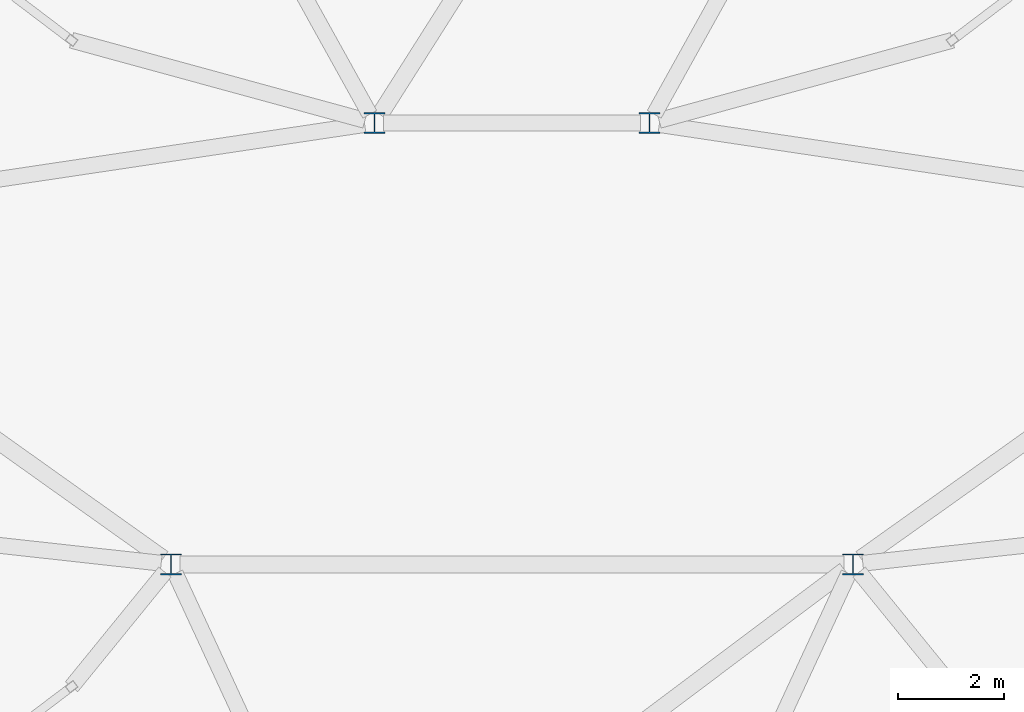
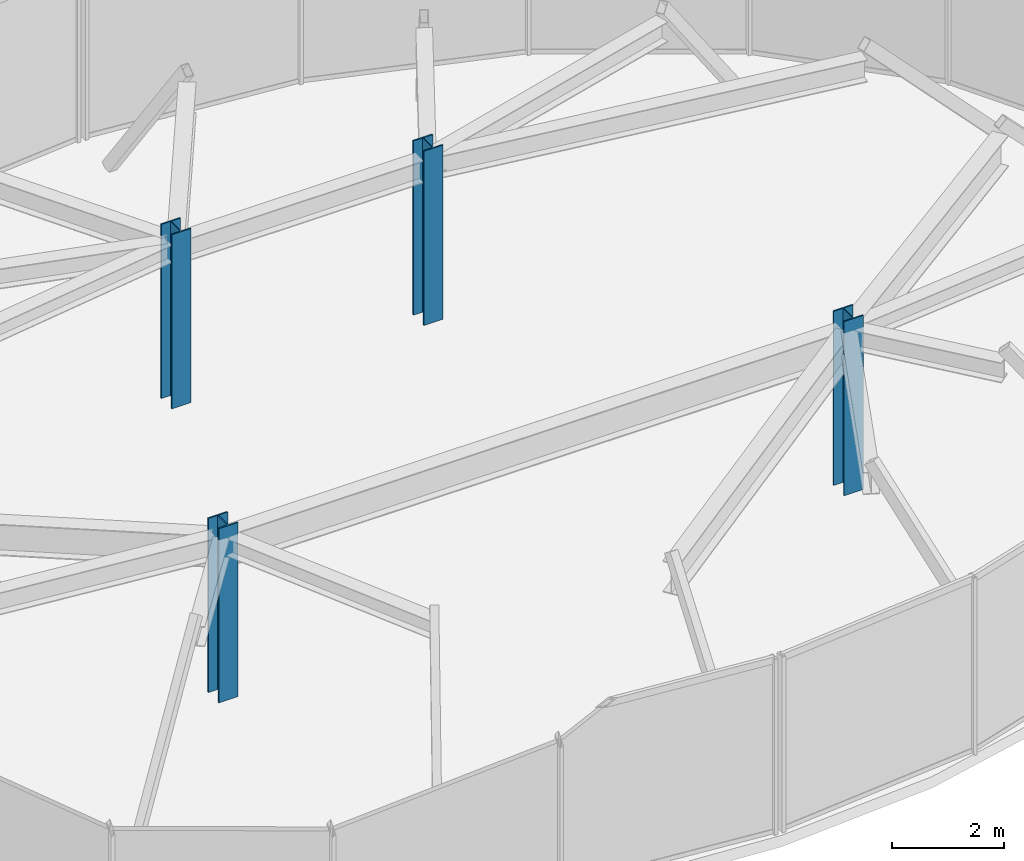
# One storey, part 1 of 13: 4 columns.
"""IFC4 building model written with IfcOpenShell, lengths in metres."""

import ifcopenshell
import ifcopenshell.guid

model = None  # the IFC model being written
_history = None  # IfcOwnerHistory: only IFC2X3 demands one
_inside = {}  # id of a spatial element -> (the spatial element, [elements in it])
_under = {}  # id of a project, library or spatial element -> (it, [spatial elements below it])
_declared = {}  # id of a project -> (the project, [libraries it declares])
_typed = {}  # id of a type object -> (the type object, [elements of that type])
_made_of = {}  # id of a material, layer set ... -> (it, [elements and type objects made of it])


def new_model(schema):
    """Start an empty IFC model of exactly this schema.

    Asked for "IFC4X3", IfcOpenShell would pick the latest addendum, in which some entities
    have other attributes; the version numbers below select the first issue.
    IFC2X3 requires an IfcOwnerHistory on every rooted entity: one is made here for all.
    """
    global model, _history
    if schema == "IFC4X3":
        model = ifcopenshell.file(schema_version=(4, 3, 0, 0))
    else:
        model = ifcopenshell.file(schema=schema)
    _inside.clear()
    _under.clear()
    _declared.clear()
    _typed.clear()
    _made_of.clear()
    _history = None
    if model.schema == "IFC2X3":
        org = make("IfcOrganization", Name="unknown")
        user = make(
            "IfcPersonAndOrganization",
            ThePerson=make("IfcPerson", FamilyName="unknown"),
            TheOrganization=org,
        )
        app = make(
            "IfcApplication",
            ApplicationDeveloper=org,
            Version="unknown",
            ApplicationFullName="unknown",
            ApplicationIdentifier="unknown",
        )
        _history = make(
            "IfcOwnerHistory",
            OwningUser=user,
            OwningApplication=app,
            ChangeAction="ADDED",
            CreationDate=0,
        )
    return model


def make(cls, **values):
    """One entity of the class cls with the attributes given. An attribute that is None is left unset."""
    return model.create_entity(
        cls, **{name: value for name, value in values.items() if value is not None}
    )


def rooted(cls, **values):
    """An entity with a GlobalId (a new one), such as an element, a storey or a relation."""
    return make(cls, GlobalId=ifcopenshell.guid.new(), OwnerHistory=_history, **values)


def si_unit(unit_type, name, prefix=None):
    """IfcSIUnit, for example si_unit("LENGTHUNIT", "METRE", prefix="MILLI")."""
    return make("IfcSIUnit", UnitType=unit_type, Prefix=prefix, Name=name)


def assignment(units):
    """IfcUnitAssignment: the units of a project."""
    return None if units is None else make("IfcUnitAssignment", Units=units)


def point(xyz):
    """IfcCartesianPoint."""
    return None if xyz is None else make("IfcCartesianPoint", Coordinates=xyz)


def direction(xyz):
    """IfcDirection."""
    return None if xyz is None else make("IfcDirection", DirectionRatios=xyz)


def frame(location, z_axis=None, x_axis=None):
    """IfcAxis2Placement3D, a coordinate frame: its origin and axes. An axis left out is left unset."""
    return make(
        "IfcAxis2Placement3D",
        Location=point(location),
        Axis=direction(z_axis),
        RefDirection=direction(x_axis),
    )


def frame_2d(location, x_axis=None):
    """IfcAxis2Placement2D, a coordinate frame in the plane: its origin and x axis."""
    return make(
        "IfcAxis2Placement2D", Location=point(location), RefDirection=direction(x_axis)
    )


def origin():
    """The frame at (0, 0, 0) with its axes left unset."""
    return frame((0.0, 0.0, 0.0))


def origin_2d():
    """The frame at (0, 0) in the plane with its x axis left unset."""
    return frame_2d((0.0, 0.0))


def place(relative_to, where):
    """IfcLocalPlacement: puts the frame where relative to a parent placement (None: the world)."""
    return make(
        "IfcLocalPlacement", PlacementRelTo=relative_to, RelativePlacement=where
    )


def context(
    kind, dimensions, precision=None, world=None, true_north=None, identifier=None
):
    """IfcGeometricRepresentationContext, for example the 3D "Model" context."""
    return make(
        "IfcGeometricRepresentationContext",
        ContextIdentifier=identifier,
        ContextType=kind,
        CoordinateSpaceDimension=dimensions,
        Precision=precision,
        WorldCoordinateSystem=world,
        TrueNorth=true_north,
    )


def subcontext(parent, identifier, kind, view, scale=None):
    """IfcGeometricRepresentationSubContext, for example "Body" below "Model"."""
    return make(
        "IfcGeometricRepresentationSubContext",
        ContextIdentifier=identifier,
        ContextType=kind,
        ParentContext=parent,
        TargetScale=scale,
        TargetView=view,
    )


def project(units=None, contexts=None):
    """IfcProject with its units and contexts."""
    return rooted(
        "IfcProject",
        Name="project",
        RepresentationContexts=contexts,
        UnitsInContext=assignment(units),
    )


def spatial(cls, under=None, at=None, **own):
    """A site, building, storey or space (cls), placed at a placement, below another one or the project."""
    s = rooted(cls, ObjectPlacement=at, **own)
    if under is not None:
        _under.setdefault(under.id(), (under, []))[1].append(s)
    return s


def profile(cls, at=None, kind="AREA", **sizes):
    """A parametric profile (cls). Its sizes go by their IFC names, for example OverallWidth=200.0."""
    return make(cls, ProfileType=kind, Position=at, **sizes)


def i_section(**sizes):
    """IfcIShapeProfileDef."""
    return profile("IfcIShapeProfileDef", **sizes)


def extrude(swept, where, along, depth):
    """IfcExtrudedAreaSolid: the profile swept, set in the frame where, extruded along a direction by depth."""
    return make(
        "IfcExtrudedAreaSolid",
        SweptArea=swept,
        Position=where,
        ExtrudedDirection=direction(along),
        Depth=depth,
    )


def shape(context_of_items, identifier, shape_type, items):
    """IfcShapeRepresentation: the items that make up one representation, for example the "Body"."""
    return make(
        "IfcShapeRepresentation",
        ContextOfItems=context_of_items,
        RepresentationIdentifier=identifier,
        RepresentationType=shape_type,
        Items=items,
    )


def material(Name=None, Category=None):
    """IfcMaterial."""
    return make("IfcMaterial", Name=Name, Category=Category)


def material_profile(
    of_material, cross_section, Name=None, Category=None, Priority=None
):
    """IfcMaterialProfile: a cross section and its material."""
    return make(
        "IfcMaterialProfile",
        Name=Name,
        Material=of_material,
        Profile=cross_section,
        Priority=Priority,
        Category=Category,
    )


def profile_set(profiles, Name=None, composite=None):
    """IfcMaterialProfileSet."""
    return make(
        "IfcMaterialProfileSet",
        Name=Name,
        MaterialProfiles=profiles,
        CompositeProfile=composite,
    )


def made_of(thing, what):
    """Note that an element or type object is made of a material, layer set ...; save() writes the relation."""
    if what is not None:
        _made_of.setdefault(what.id(), (what, []))[1].append(thing)
    return thing


def type_object(cls, material=None, **own):
    """A type object (cls), such as IfcWallType, which elements share."""
    return made_of(rooted(cls, **own), material)


def element(
    cls,
    number,
    at=None,
    inside=None,
    cuts=None,
    type_object=None,
    material=None,
    context=None,
    identifier="Body",
    shape_type=None,
    held_by="IfcProductDefinitionShape",
    body=None,
    shapes=None,
    **own,
):
    """One element of the class cls, such as IfcWall. Its Tag is "e" and its number.

    at: its placement. inside: the storey or other place that contains it. cuts: it is an
    opening in that element (IfcRelVoidsElement). A single representation is given by context,
    identifier, shape_type and body (its items); several are given by shapes. held_by: the class
    of the entity that holds the representations. save() writes the other relations.
    """
    e = rooted(cls, Tag="e%d" % number, ObjectPlacement=at, **own)
    if body is not None:
        shapes = [shape(context, identifier, shape_type, body)]
    if shapes is not None:
        e.Representation = make(held_by, Representations=shapes)
    if inside is not None:
        _inside.setdefault(inside.id(), (inside, []))[1].append(e)
    if cuts is not None:
        rooted(
            "IfcRelVoidsElement", RelatingBuildingElement=cuts, RelatedOpeningElement=e
        )
    if type_object is not None:
        _typed.setdefault(type_object.id(), (type_object, []))[1].append(e)
    return made_of(e, material)


def aggregate(whole, parts):
    """IfcRelAggregates: a whole, such as a stair, and the parts it consists of."""
    return rooted("IfcRelAggregates", RelatingObject=whole, RelatedObjects=parts)


def save(model, path):
    """Write the relations noted so far, then the file.

    IfcRelAggregates (storeys below a building ...), IfcRelContainedInSpatialStructure (elements
    in a storey), IfcRelDefinesByType, IfcRelAssociatesMaterial and IfcRelDeclares: one each for
    every whole, place, type object, material and project.
    """
    for whole, parts in _under.values():
        aggregate(whole, parts)
    for where, things in _inside.values():
        rooted(
            "IfcRelContainedInSpatialStructure",
            RelatedElements=things,
            RelatingStructure=where,
        )
    for kind, things in _typed.values():
        rooted("IfcRelDefinesByType", RelatedObjects=things, RelatingType=kind)
    for what, things in _made_of.values():
        rooted("IfcRelAssociatesMaterial", RelatedObjects=things, RelatingMaterial=what)
    for by, libraries in _declared.values():
        rooted("IfcRelDeclares", RelatingContext=by, RelatedDefinitions=libraries)
    model.write(path)


model = new_model("IFC4")

# Units and contexts
model_context = context("Model", 3, precision=1e-05, world=origin(), true_north=direction((0.0, 1.0)))
body_context = subcontext(model_context, "Body", "Model", "MODEL_VIEW")
ifc_project = project(units=[si_unit("LENGTHUNIT", "METRE"), si_unit("AREAUNIT", "SQUARE_METRE"), si_unit("VOLUMEUNIT", "CUBIC_METRE"), si_unit("PLANEANGLEUNIT", "RADIAN"), si_unit("MASSUNIT", "GRAM", prefix="KILO")], contexts=[model_context])

# Site, building, storey
site_placement = place(None, origin())
site = spatial("IfcSite", under=ifc_project, at=site_placement, CompositionType="ELEMENT")
building_placement = place(site_placement, origin())
building = spatial("IfcBuilding", under=site, at=building_placement, Name="Vorneva Point Tower", CompositionType="ELEMENT")
storey_placement = place(building_placement, frame((0.0, 0.0, 303.0)))
storey = spatial("IfcBuildingStorey", under=building, at=storey_placement, Name="C03", CompositionType="ELEMENT", Elevation=303.0)

# Columns
ifc_material = material(Name="Steel S355", Category="steel")
ifc_material_profile = material_profile(ifc_material, i_section(OverallWidth=0.39990234375, OverallDepth=0.39990234375, WebThickness=0.01806640625, FlangeThickness=0.028076171875, at=origin_2d()), Name="40K4")
ifc_profile_set = profile_set([ifc_material_profile], Name="Steel S355")
column_type = type_object("IfcColumnType", Name="PIL-STL-40K4", PredefinedType="PILASTER", material=ifc_profile_set)
for number, where, z_axis, x_axis, name in (
    (1, (31.550048828125, 22.199951171875, 0.0), (0.0, 0.0, 1.0), (1.0, 0.0, 0.0), "C03 Core Pilaster CP4"),
    (2, (44.449951171875, 22.199951171875, 0.0), (0.0, 0.0, 1.0), (1.0, 0.0, 0.0), "C03 Core Pilaster CP8"),
    (3, (35.39990234375, 30.550048828125, 0.0), (0.0, 0.0, 1.0), (1.0, 0.0, 0.0), "C03 Core Pilaster CP9"),
    (4, (40.60009765625, 30.550048828125, 0.0), (0.0, 0.0, 1.0), (1.0, 0.0, 0.0), "C03 Core Pilaster CP10"),
):
    element("IfcColumn", number, at=place(storey_placement, frame(where, z_axis=z_axis, x_axis=x_axis)), inside=storey, type_object=column_type, Name=name, PredefinedType="PILASTER", context=body_context, shape_type="SweptSolid", body=[
        extrude(i_section(OverallWidth=0.39990234375, OverallDepth=0.39990234375, WebThickness=0.01806640625, FlangeThickness=0.028076171875, at=origin_2d()), origin(), (0.0, 0.0, 1.0), 3.800048828125),
    ])

save(model, "model.ifc")
